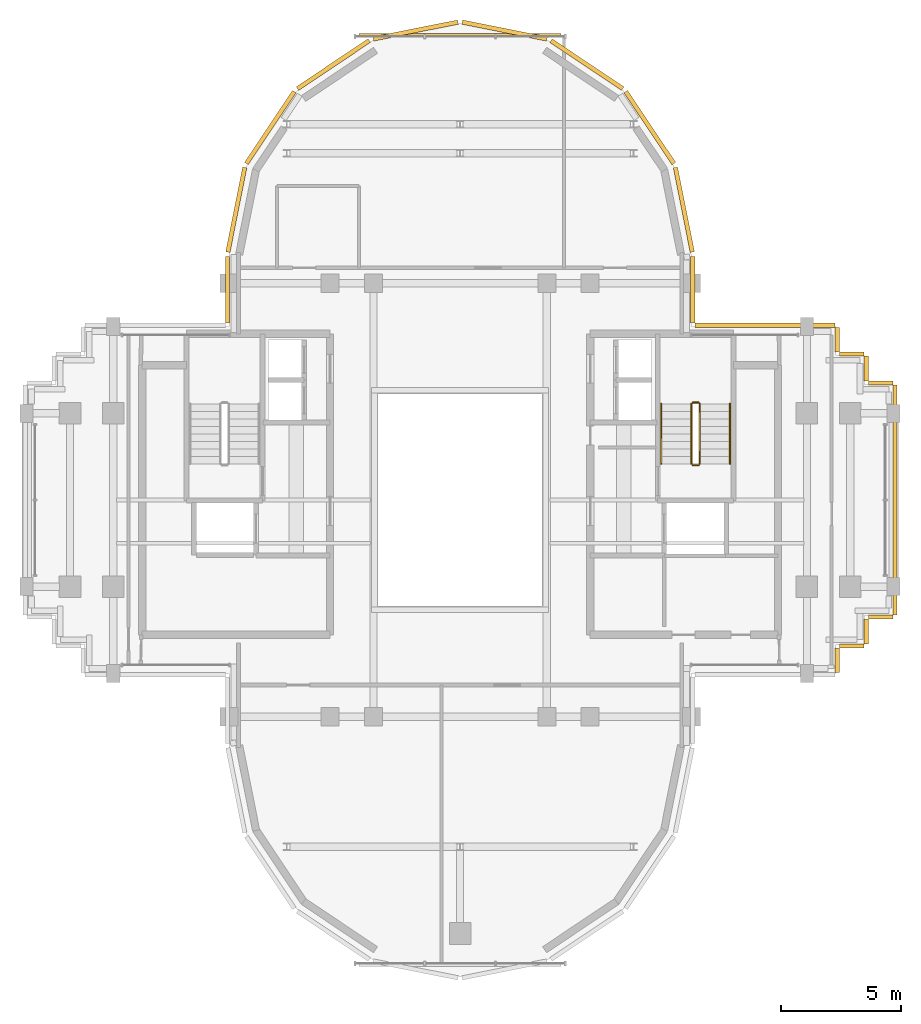
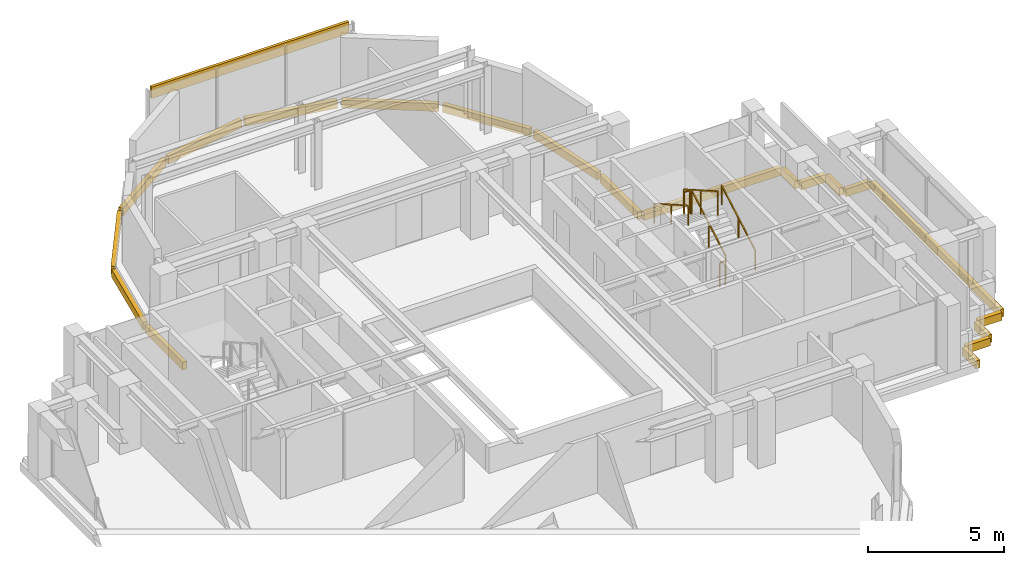
# One storey, part 12 of 12: 21 coverings, 6 railings.
"""IFC4 building model written with IfcOpenShell, lengths in metres."""

from ifc_helpers import new_model, si_unit, direction, frame, origin, origin_2d, place, context, subcontext, project, spatial, rectangle, extrude, source, transform, mapped, material, layer, layer_set, type_object, element, save


model = new_model("IFC4")

# Units and contexts
model_context = context("Model", 3, precision=1e-05, world=origin(), true_north=direction((0.0, 1.0)))
body_context = subcontext(model_context, "Body", "Model", "MODEL_VIEW")
ifc_project = project(units=[si_unit("LENGTHUNIT", "METRE"), si_unit("AREAUNIT", "SQUARE_METRE"), si_unit("VOLUMEUNIT", "CUBIC_METRE"), si_unit("PLANEANGLEUNIT", "RADIAN"), si_unit("MASSUNIT", "GRAM", prefix="KILO")], contexts=[model_context])

# Site, building, storey
site_placement = place(None, origin())
site = spatial("IfcSite", under=ifc_project, at=site_placement, CompositionType="ELEMENT")
building_placement = place(site_placement, origin())
building = spatial("IfcBuilding", under=site, at=building_placement, Name="Keilestroom Media Tower", CompositionType="ELEMENT")
storey_placement = place(building_placement, frame((0.0, 0.0, 236.39990234375)))
storey = spatial("IfcBuildingStorey", under=building, at=storey_placement, Name="L65", CompositionType="ELEMENT", Elevation=236.39990234375)

# Railings
ifc_material_1 = material(Name="Brushed Stainless Steel 1.4301", Category="steel")
railing_type_1 = type_object("IfcRailingType", Name="Stair-Pitch-Handrail-920", PredefinedType="HANDRAIL", material=ifc_material_1)
railing_1_placement = place(storey_placement, frame((11.2099609375, 1.5, 0.177978515625)))
element("IfcRailing", 1, at=railing_1_placement, inside=storey, type_object=railing_type_1, Name="L65 ST-2 stair handrail 1", PredefinedType="HANDRAIL", context=body_context, shape_type="SweptSolid", body=[
    extrude(rectangle(XDim=0.048095703125, YDim=0.048095703125, at=origin_2d()), frame((0.0, 0.0, 0.8759765625), z_axis=(0.0, 0.868875238982, 0.495031129408), x_axis=(-1.0, 0.0, 0.0)), (0.0, 0.0, 1.0), 2.872802734375),
    extrude(rectangle(XDim=0.0419921875, YDim=0.0419921875, at=origin_2d()), origin(), (0.0, 0.0, 1.0), 0.84375),
    extrude(rectangle(XDim=0.0419921875, YDim=0.0419921875, at=origin_2d()), frame((0.0, 1.248046875, 0.7109375)), (0.0, 0.0, 1.0), 0.84375),
    extrude(rectangle(XDim=0.0419921875, YDim=0.0419921875, at=origin_2d()), frame((0.0, 2.49609375, 1.422119140625)), (0.0, 0.0, 1.0), 0.84375),
])
railing_2_placement = place(storey_placement, frame((8.35009765625, 3.99609375, 1.77783203125)))
element("IfcRailing", 2, at=railing_2_placement, inside=storey, type_object=railing_type_1, Name="L65 ST-2 stair handrail 2", PredefinedType="HANDRAIL", context=body_context, shape_type="SweptSolid", body=[
    extrude(rectangle(XDim=0.048095703125, YDim=0.048095703125, at=origin_2d()), frame((0.0, 0.0, 0.8759765625), z_axis=(0.0, -0.868838684858, 0.495095283449), x_axis=(1.0, 0.0, 0.0)), (0.0, 0.0, 1.0), 2.872802734375),
    extrude(rectangle(XDim=0.0419921875, YDim=0.0419921875, at=origin_2d()), origin(), (0.0, 0.0, 1.0), 0.84375),
    extrude(rectangle(XDim=0.0419921875, YDim=0.0419921875, at=origin_2d()), frame((0.0, -1.248046875, 0.711181640625)), (0.0, 0.0, 1.0), 0.84375),
    extrude(rectangle(XDim=0.0419921875, YDim=0.0419921875, at=origin_2d()), frame((0.0, -2.49609375, 1.42236328125)), (0.0, 0.0, 1.0), 0.84375),
])
ifc_material_2 = material(Name="Painted Steel Balustrade", Category="steel")
railing_type_2 = type_object("IfcRailingType", Name="Stair-Well-And-Landing-Guard-1100", PredefinedType="GUARDRAIL", material=ifc_material_2)
railing_3_placement = place(storey_placement, frame((9.949951171875, 1.5, 0.177978515625)))
element("IfcRailing", 3, at=railing_3_placement, inside=storey, type_object=railing_type_2, Name="L65 ST-2 stair guard 1", PredefinedType="GUARDRAIL", context=body_context, shape_type="SweptSolid", body=[
    extrude(rectangle(XDim=0.048095703125, YDim=0.048095703125, at=origin_2d()), frame((0.0, 0.0, 1.076171875), z_axis=(0.0, 0.868875238982, 0.495031129408), x_axis=(-1.0, 0.0, 0.0)), (0.0, 0.0, 1.0), 2.872802734375),
    extrude(rectangle(XDim=0.0419921875, YDim=0.0419921875, at=origin_2d()), origin(), (0.0, 0.0, 1.0), 1.0439453125),
    extrude(rectangle(XDim=0.0419921875, YDim=0.0419921875, at=origin_2d()), frame((0.0, 1.248046875, 0.7109375)), (0.0, 0.0, 1.0), 1.0439453125),
    extrude(rectangle(XDim=0.0419921875, YDim=0.0419921875, at=origin_2d()), frame((0.0, 2.49609375, 1.422119140625)), (0.0, 0.0, 1.0), 1.0439453125),
])
railing_4_placement = place(storey_placement, frame((9.89990234375, 4.0458984375, 1.60009765625)))
element("IfcRailing", 4, at=railing_4_placement, inside=storey, type_object=railing_type_2, Name="L65 ST-2 stair guard 2", PredefinedType="GUARDRAIL", context=body_context, shape_type="SweptSolid", body=[
    extrude(rectangle(XDim=0.048095703125, YDim=0.048095703125, at=origin_2d()), frame((0.0, 0.0, 1.076171875), z_axis=(-1.0, 0.0, 0.0), x_axis=(0.0, -1.0, 0.0)), (0.0, 0.0, 1.0), 0.239990234375),
    extrude(rectangle(XDim=0.0419921875, YDim=0.0419921875, at=origin_2d()), origin(), (0.0, 0.0, 1.0), 1.0439453125),
    extrude(rectangle(XDim=0.0419921875, YDim=0.0419921875, at=origin_2d()), frame((-0.239990234375, 0.0, 0.0)), (0.0, 0.0, 1.0), 1.0439453125),
])
railing_5_placement = place(storey_placement, frame((9.610107421875, 3.99609375, 1.77783203125)))
element("IfcRailing", 5, at=railing_5_placement, inside=storey, type_object=railing_type_2, Name="L65 ST-2 stair guard 3", PredefinedType="GUARDRAIL", context=body_context, shape_type="SweptSolid", body=[
    extrude(rectangle(XDim=0.048095703125, YDim=0.048095703125, at=origin_2d()), frame((0.0, 0.0, 1.076171875), z_axis=(0.0, -0.868838684858, 0.495095283449), x_axis=(1.0, 0.0, 0.0)), (0.0, 0.0, 1.0), 2.872802734375),
    extrude(rectangle(XDim=0.0419921875, YDim=0.0419921875, at=origin_2d()), origin(), (0.0, 0.0, 1.0), 1.0439453125),
    extrude(rectangle(XDim=0.0419921875, YDim=0.0419921875, at=origin_2d()), frame((0.0, -1.248046875, 0.711181640625)), (0.0, 0.0, 1.0), 1.0439453125),
    extrude(rectangle(XDim=0.0419921875, YDim=0.0419921875, at=origin_2d()), frame((0.0, -2.49609375, 1.42236328125)), (0.0, 0.0, 1.0), 1.0439453125),
])
railing_6_placement = place(storey_placement, frame((9.89990234375, 1.449951171875, 0.0)))
element("IfcRailing", 6, at=railing_6_placement, inside=storey, type_object=railing_type_2, Name="L65 ST-2 stair guard 4", PredefinedType="GUARDRAIL", context=body_context, shape_type="SweptSolid", body=[
    extrude(rectangle(XDim=0.048095703125, YDim=0.048095703125, at=origin_2d()), frame((0.0, 0.0, 1.076171875), z_axis=(-1.0, 0.0, 0.0), x_axis=(0.0, -1.0, 0.0)), (0.0, 0.0, 1.0), 0.239990234375),
    extrude(rectangle(XDim=0.0419921875, YDim=0.0419921875, at=origin_2d()), origin(), (0.0, 0.0, 1.0), 1.0439453125),
    extrude(rectangle(XDim=0.0419921875, YDim=0.0419921875, at=origin_2d()), frame((-0.239990234375, 0.0, 0.0)), (0.0, 0.0, 1.0), 1.0439453125),
])

# Coverings
ifc_material_3 = material(Name="Precast concrete C40/50", Category="concrete")
ifc_layer = layer(ifc_material_3, 0.1201171875)
ifc_layer_set = layer_set([ifc_layer], Name="Precast concrete C40/50")
covering_type = type_object("IfcCoveringType", Name="Exterior-Precast-Spandrel-Cladding-Panel-120", PredefinedType="CLADDING", material=ifc_layer_set)
shared_shape_1 = source(origin(), body_context, "Body", "SweptSolid", [
    extrude(rectangle(XDim=8.39990234375, YDim=0.1201171875, at=origin_2d()), origin(), (0.0, 0.0, 1.0), 0.52001953125),
])
covering_1_placement = place(storey_placement, frame((0.0, 19.320068359375, 2.5), z_axis=(0.0, 0.0, 1.0), x_axis=(1.0, 0.0, 0.0)))
element("IfcCovering", 7, at=covering_1_placement, inside=storey, type_object=covering_type, Name="L65 Precast Spandrel Cladding N", PredefinedType="CLADDING", context=body_context, shape_type="MappedRepresentation", body=[
    mapped(shared_shape_1, transform((0.0, 0.0, 0.0), x_axis=(1.0, 0.0, 0.0), y_axis=(0.0, 1.0, 0.0), z_axis=(0.0, 0.0, 1.0), scale=1.0)),
])
shared_shape_2 = source(origin(), body_context, "Body", "SweptSolid", [
    extrude(rectangle(XDim=1.02001953125, YDim=0.179931640625, at=origin_2d()), origin(), (0.0, 0.0, 1.0), 0.35009765625),
])
for number, where, z_axis, x_axis, name in (
    (8, (17.4599609375, -4.860107421875, -0.530029296875), (0.0, 0.0, 1.0), (-1.0, 0.0, 0.0), "L65 Precast Slab-Edge Fascia Cornice 01"),
    (9, (16.860107421875, -5.4599609375, -0.530029296875), (0.0, 0.0, 1.0), (0.0, -1.0, 0.0), "L65 Precast Slab-Edge Fascia Cornice 02"),
    (10, (16.260009765625, -6.06005859375, -0.530029296875), (0.0, 0.0, 1.0), (-1.0, 0.0, 0.0), "L65 Precast Slab-Edge Fascia Cornice 03"),
    (11, (15.659912109375, -6.659912109375, -0.530029296875), (0.0, 0.0, 1.0), (0.0, -1.0, 0.0), "L65 Precast Slab-Edge Fascia Cornice 04"),
    (12, (15.659912109375, 6.659912109375, -0.530029296875), (0.0, 0.0, 1.0), (0.0, -1.0, 0.0), "L65 Precast Slab-Edge Fascia Cornice 38"),
    (13, (16.260009765625, 6.06005859375, -0.530029296875), (0.0, 0.0, 1.0), (1.0, 0.0, 0.0), "L65 Precast Slab-Edge Fascia Cornice 39"),
    (14, (16.860107421875, 5.4599609375, -0.530029296875), (0.0, 0.0, 1.0), (0.0, -1.0, 0.0), "L65 Precast Slab-Edge Fascia Cornice 40"),
    (15, (17.4599609375, 4.860107421875, -0.530029296875), (0.0, 0.0, 1.0), (1.0, 0.0, 0.0), "L65 Precast Slab-Edge Fascia Cornice 41"),
):
    element("IfcCovering", number, at=place(storey_placement, frame(where, z_axis=z_axis, x_axis=x_axis)), inside=storey, type_object=covering_type, Name=name, PredefinedType="CLADDING", context=body_context, shape_type="MappedRepresentation", body=[
        mapped(shared_shape_2, transform((0.0, 0.0, 0.0), x_axis=(1.0, 0.0, 0.0), y_axis=(0.0, 1.0, 0.0), z_axis=(0.0, 0.0, 1.0), scale=1.0)),
    ])
shared_shape_3 = source(origin(), body_context, "Body", "SweptSolid", [
    extrude(rectangle(XDim=5.820068359375, YDim=0.179931640625, at=origin_2d()), origin(), (0.0, 0.0, 1.0), 0.35009765625),
])
covering_2_placement = place(storey_placement, frame((12.659912109375, 7.260009765625, -0.530029296875), z_axis=(0.0, 0.0, 1.0), x_axis=(1.0, 0.0, 0.0)))
element("IfcCovering", 16, at=covering_2_placement, inside=storey, type_object=covering_type, Name="L65 Precast Slab-Edge Fascia Cornice 37", PredefinedType="CLADDING", context=body_context, shape_type="MappedRepresentation", body=[
    mapped(shared_shape_3, transform((0.0, 0.0, 0.0), x_axis=(1.0, 0.0, 0.0), y_axis=(0.0, 1.0, 0.0), z_axis=(0.0, 0.0, 1.0), scale=1.0)),
])
shared_shape_4 = source(origin(), body_context, "Body", "SweptSolid", [
    extrude(rectangle(XDim=2.765869140625, YDim=0.179931640625, at=origin_2d()), origin(), (0.0, 0.0, 1.0), 0.35009765625),
])
for number, where, z_axis, x_axis, name in (
    (17, (-9.659912109375, 8.73291015625, -0.530029296875), (0.0, 0.0, 1.0), (0.0, 1.0, 0.0), "L65 Precast Slab-Edge Fascia Cornice 27"),
    (18, (9.659912109375, 8.73291015625, -0.530029296875), (0.0, 0.0, 1.0), (0.0, -1.0, 0.0), "L65 Precast Slab-Edge Fascia Cornice 36"),
):
    element("IfcCovering", number, at=place(storey_placement, frame(where, z_axis=z_axis, x_axis=x_axis)), inside=storey, type_object=covering_type, Name=name, PredefinedType="CLADDING", context=body_context, shape_type="MappedRepresentation", body=[
        mapped(shared_shape_4, transform((0.0, 0.0, 0.0), x_axis=(1.0, 0.0, 0.0), y_axis=(0.0, 1.0, 0.0), z_axis=(0.0, 0.0, 1.0), scale=1.0)),
    ])
shared_shape_5 = source(origin(), body_context, "Body", "SweptSolid", [
    extrude(rectangle(XDim=3.58349609375, YDim=0.179931640625, at=origin_2d()), origin(), (0.0, 0.0, 1.0), 0.35009765625),
])
for number, where, z_axis, x_axis, name in (
    (19, (-9.29296875, 12.051513671875, -0.530029296875), (0.0, 0.0, 1.0), (0.195098880975, 0.980783577882, 0.0), "L65 Precast Slab-Edge Fascia Cornice 28"),
    (20, (9.29296875, 12.051513671875, -0.530029296875), (0.0, 0.0, 1.0), (0.195098880975, -0.980783577882, 0.0), "L65 Precast Slab-Edge Fascia Cornice 35"),
):
    element("IfcCovering", number, at=place(storey_placement, frame(where, z_axis=z_axis, x_axis=x_axis)), inside=storey, type_object=covering_type, Name=name, PredefinedType="CLADDING", context=body_context, shape_type="MappedRepresentation", body=[
        mapped(shared_shape_5, transform((0.0, 0.0, 0.0), x_axis=(1.0, 0.0, 0.0), y_axis=(0.0, 1.0, 0.0), z_axis=(0.0, 0.0, 1.0), scale=1.0)),
    ])
shared_shape_6 = source(origin(), body_context, "Body", "SweptSolid", [
    extrude(rectangle(XDim=3.589599609375, YDim=0.179931640625, at=origin_2d()), origin(), (0.0, 0.0, 1.0), 0.35009765625),
])
for number, where, z_axis, x_axis, name in (
    (21, (-7.878662109375, 15.46435546875, -0.530029296875), (0.0, 0.0, 1.0), (0.555574586577, 0.831466703332, 0.0), "L65 Precast Slab-Edge Fascia Cornice 29"),
    (22, (-5.264404296875, 18.07861328125, -0.530029296875), (0.0, 0.0, 1.0), (0.831466703332, 0.555574586577, 0.0), "L65 Precast Slab-Edge Fascia Cornice 30"),
    (23, (-1.8486328125, 19.493408203125, -0.530029296875), (0.0, 0.0, 1.0), (0.980783577882, 0.195098880975, 0.0), "L65 Precast Slab-Edge Fascia Cornice 31"),
    (24, (1.8486328125, 19.493408203125, -0.530029296875), (0.0, 0.0, 1.0), (0.980783577882, -0.195098880975, 0.0), "L65 Precast Slab-Edge Fascia Cornice 32"),
    (25, (5.264404296875, 18.07861328125, -0.530029296875), (0.0, 0.0, 1.0), (0.831466703332, -0.555574586577, 0.0), "L65 Precast Slab-Edge Fascia Cornice 33"),
    (26, (7.878662109375, 15.46435546875, -0.530029296875), (0.0, 0.0, 1.0), (0.555574586577, -0.831466703332, 0.0), "L65 Precast Slab-Edge Fascia Cornice 34"),
):
    element("IfcCovering", number, at=place(storey_placement, frame(where, z_axis=z_axis, x_axis=x_axis)), inside=storey, type_object=covering_type, Name=name, PredefinedType="CLADDING", context=body_context, shape_type="MappedRepresentation", body=[
        mapped(shared_shape_6, transform((0.0, 0.0, 0.0), x_axis=(1.0, 0.0, 0.0), y_axis=(0.0, 1.0, 0.0), z_axis=(0.0, 0.0, 1.0), scale=1.0)),
    ])
shared_shape_7 = source(origin(), body_context, "Body", "SweptSolid", [
    extrude(rectangle(XDim=9.5400390625, YDim=0.179931640625, at=origin_2d()), origin(), (0.0, 0.0, 1.0), 0.35009765625),
])
covering_3_placement = place(storey_placement, frame((18.06005859375, 0.0, -0.530029296875), z_axis=(0.0, 0.0, 1.0), x_axis=(0.0, -1.0, 0.0)))
element("IfcCovering", 27, at=covering_3_placement, inside=storey, type_object=covering_type, Name="L65 Precast Slab-Edge Fascia Cornice 42", PredefinedType="CLADDING", context=body_context, shape_type="MappedRepresentation", body=[
    mapped(shared_shape_7, transform((0.0, 0.0, 0.0), x_axis=(1.0, 0.0, 0.0), y_axis=(0.0, 1.0, 0.0), z_axis=(0.0, 0.0, 1.0), scale=1.0)),
])

save(model, "model.ifc")
